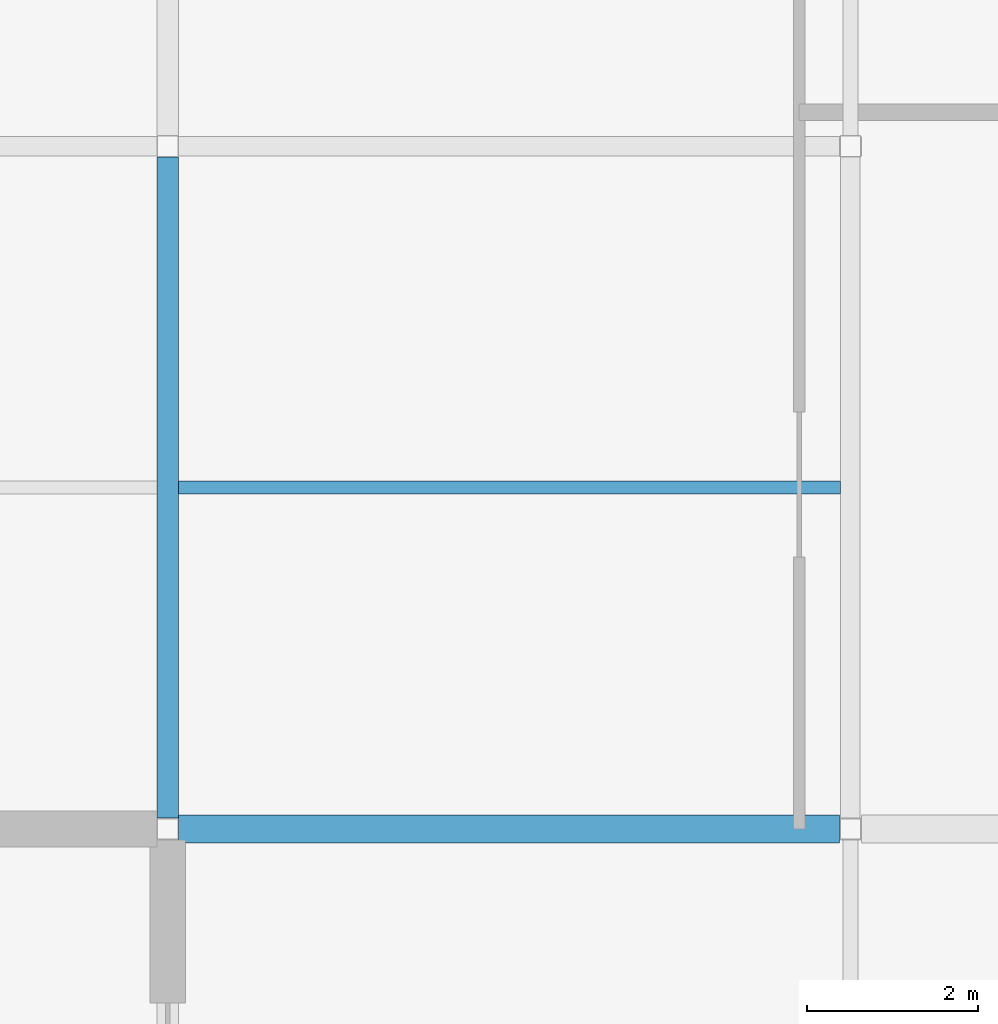
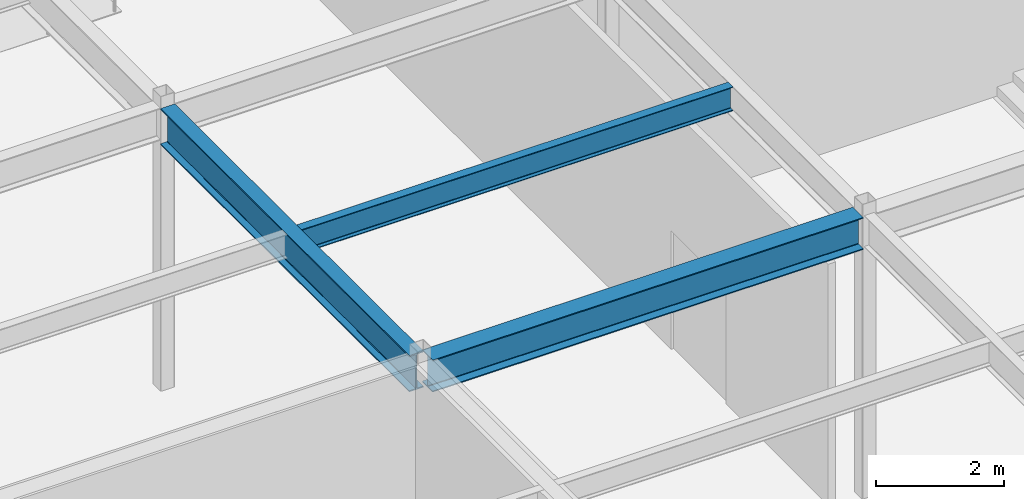
# One storey, part 36 of 128: 3 beams.
"""IFC4 building model written with IfcOpenShell, lengths in metres."""

from ifc_helpers import new_model, si_unit, direction, frame, origin, origin_2d, place, context, subcontext, project, spatial, i_section, extrude, material, material_profile, profile_set, type_object, element, save


model = new_model("IFC4")

# Units and contexts
model_context = context("Model", 3, precision=1e-05, world=origin(), true_north=direction((0.0, 1.0)))
body_context = subcontext(model_context, "Body", "Model", "MODEL_VIEW")
ifc_project = project(units=[si_unit("LENGTHUNIT", "METRE"), si_unit("AREAUNIT", "SQUARE_METRE"), si_unit("VOLUMEUNIT", "CUBIC_METRE"), si_unit("PLANEANGLEUNIT", "RADIAN"), si_unit("MASSUNIT", "GRAM", prefix="KILO")], contexts=[model_context])

# Site, building, storey
site_placement = place(None, origin())
site = spatial("IfcSite", under=ifc_project, at=site_placement, CompositionType="ELEMENT")
building_placement = place(site_placement, origin())
building = spatial("IfcBuilding", under=site, at=building_placement, Name="Solmirada Galleria", CompositionType="ELEMENT")
storey_placement = place(building_placement, origin())
storey = spatial("IfcBuildingStorey", under=building, at=storey_placement, Name="L00", CompositionType="ELEMENT", Elevation=0.0)

# Beams
ifc_material = material(Name="Steel S355 / ASTM A992 Grade 50", Category="steel")
ifc_material_profile_1 = material_profile(ifc_material, i_section(OverallWidth=0.323974609375, OverallDepth=0.611083984375, WebThickness=0.0126953125, FlangeThickness=0.01904296875, FilletRadius=0.014892578125, at=origin_2d()), Name="W24X104")
ifc_profile_set_1 = profile_set([ifc_material_profile_1], Name="Steel S355 / ASTM A992 Grade 50")
beam_type_1 = type_object("IfcBeamType", Name="BM-GIRD-W24A", PredefinedType="BEAM", material=ifc_profile_set_1)
beam_1_placement = place(storey_placement, frame((48.126953125, 16.0, 5.074462890625), z_axis=(1.0, 0.0, 0.0), x_axis=(0.0, 1.0, 0.0)))
element("IfcBeam", 1, at=beam_1_placement, inside=storey, type_object=beam_type_1, Name="Primary beam L01 X(48..56, 16)", PredefinedType="BEAM", context=body_context, shape_type="SweptSolid", body=[
    extrude(i_section(OverallWidth=0.323974609375, OverallDepth=0.611083984375, WebThickness=0.0126953125, FlangeThickness=0.01904296875, FilletRadius=0.014892578125, at=origin_2d()), origin(), (0.0, 0.0, 1.0), 7.74609375),
])
ifc_material_profile_2 = material_profile(ifc_material, i_section(OverallWidth=0.256103515625, OverallDepth=0.693115234375, WebThickness=0.014404296875, FlangeThickness=0.023681640625, FilletRadius=0.01806640625, at=origin_2d()), Name="W27X114")
ifc_profile_set_2 = profile_set([ifc_material_profile_2], Name="Steel S355 / ASTM A992 Grade 50")
beam_type_2 = type_object("IfcBeamType", Name="BM-GIRD-W27A", PredefinedType="BEAM", material=ifc_profile_set_2)
beam_2_placement = place(storey_placement, frame((48.0, 16.126953125, 5.033447265625), z_axis=(0.0, 1.0, 0.0), x_axis=(-1.0, 0.0, 0.0)))
element("IfcBeam", 2, at=beam_2_placement, inside=storey, type_object=beam_type_2, Name="Primary girder L01 Y(48, 16..24)", PredefinedType="BEAM", context=body_context, shape_type="SweptSolid", body=[
    extrude(i_section(OverallWidth=0.256103515625, OverallDepth=0.693115234375, WebThickness=0.014404296875, FlangeThickness=0.023681640625, FilletRadius=0.01806640625, at=origin_2d()), origin(), (0.0, 0.0, 1.0), 7.74609375),
])
ifc_material_profile_3 = material_profile(ifc_material, i_section(OverallWidth=0.153076171875, OverallDepth=0.455078125, WebThickness=0.008056640625, FlangeThickness=0.01318359375, FilletRadius=0.011962890625, at=origin_2d()), Name="W18X40")
ifc_profile_set_3 = profile_set([ifc_material_profile_3], Name="Steel S355 / ASTM A992 Grade 50")
beam_type_3 = type_object("IfcBeamType", Name="BM-JST-W18A", PredefinedType="JOIST", material=ifc_profile_set_3)
beam_3_placement = place(storey_placement, frame((48.1279296875, 20.0, 5.152587890625), z_axis=(1.0, 0.0, 0.0), x_axis=(0.0, 1.0, 0.0)))
element("IfcBeam", 3, at=beam_3_placement, inside=storey, type_object=beam_type_3, Name="Composite floor joist L01 (48..56, 20.0)", PredefinedType="JOIST", context=body_context, shape_type="SweptSolid", body=[
    extrude(i_section(OverallWidth=0.153076171875, OverallDepth=0.455078125, WebThickness=0.008056640625, FlangeThickness=0.01318359375, FilletRadius=0.011962890625, at=origin_2d()), origin(), (0.0, 0.0, 1.0), 7.758056640625),
])

save(model, "model.ifc")
